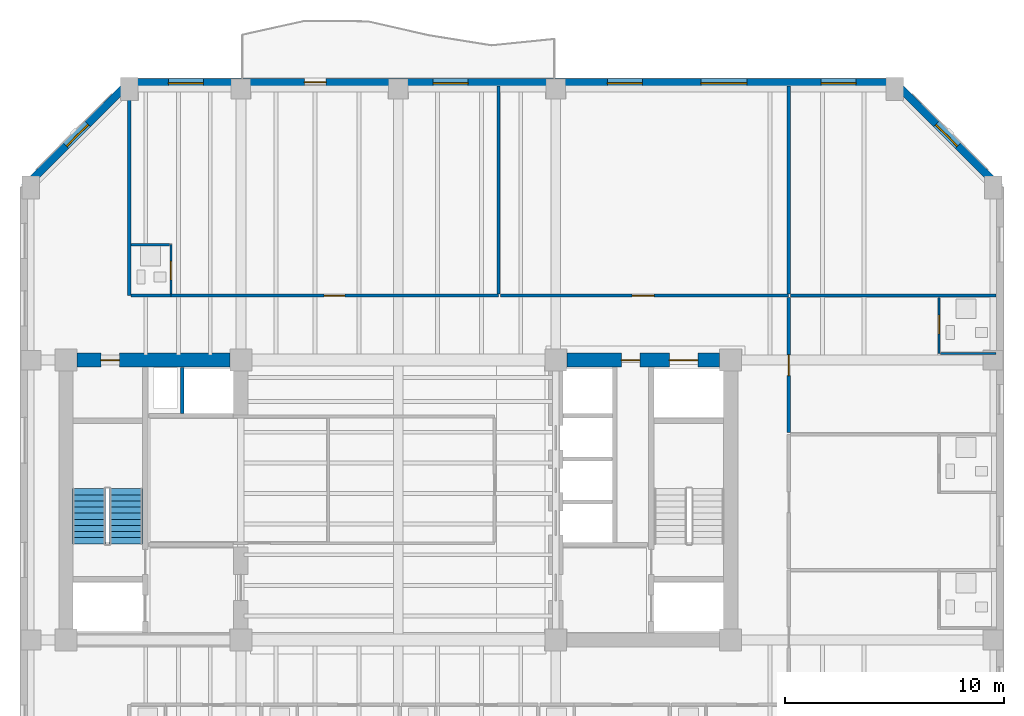
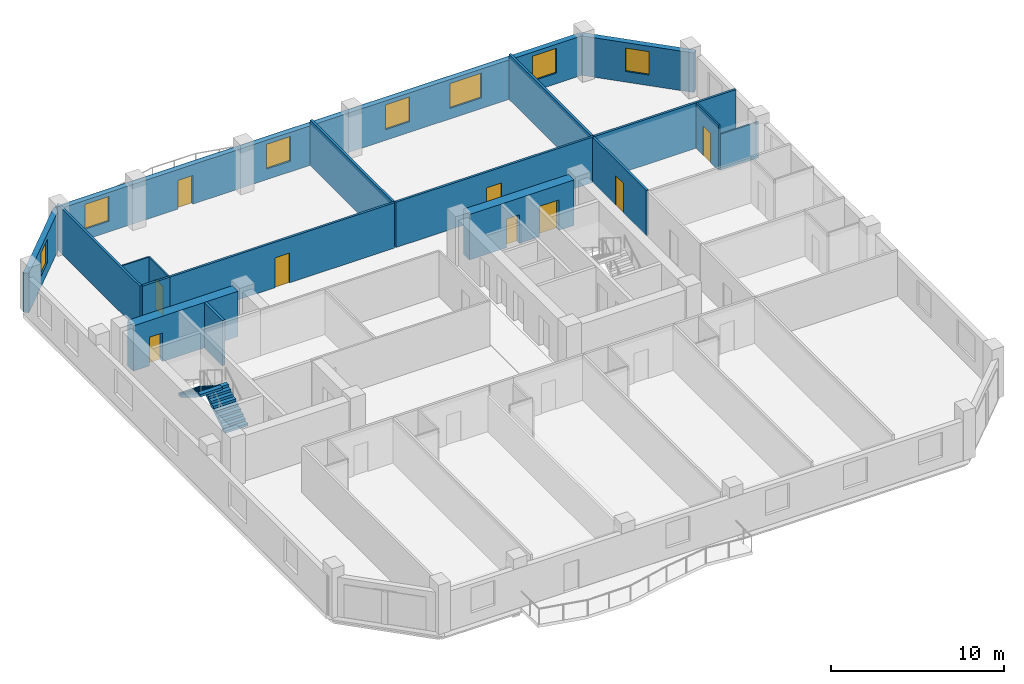
# One storey, part 5 of 10: 18 walls, 9 doors, 7 windows, 2 stair flights, 16 openings, 1 element without a shape of its own.
"""IFC4 building model written with IfcOpenShell, lengths in metres."""

from ifc_helpers import new_model, si_unit, direction, frame, frame_2d, origin, place, context, subcontext, project, spatial, polyline, rectangle, outline, extrude, material, layer, layer_set, type_object, element, fill, aggregate, save


model = new_model("IFC4")

# Units and contexts
model_context = context("Model", 3, precision=1e-05, world=origin(), true_north=direction((0.0, 1.0)))
body_context = subcontext(model_context, "Body", "Model", "MODEL_VIEW")
ifc_project = project(units=[si_unit("LENGTHUNIT", "METRE"), si_unit("AREAUNIT", "SQUARE_METRE"), si_unit("VOLUMEUNIT", "CUBIC_METRE"), si_unit("PLANEANGLEUNIT", "RADIAN"), si_unit("MASSUNIT", "GRAM", prefix="KILO")], contexts=[model_context])

# Site, building, storey
site_placement = place(None, origin())
site = spatial("IfcSite", under=ifc_project, at=site_placement, CompositionType="ELEMENT")
building_placement = place(site_placement, origin())
building = spatial("IfcBuilding", under=site, at=building_placement, Name="Kranthara Brick Stack", CompositionType="ELEMENT")
storey_placement = place(building_placement, frame((0.0, 0.0, 155.300048828125)))
storey = spatial("IfcBuildingStorey", under=building, at=storey_placement, Name="L39", CompositionType="ELEMENT", Elevation=155.300048828125)

# Wall, opening, window
ifc_material_1 = material(Name="Kiln-fired clay brick masonry M15", Category="masonry")
ifc_layer_1 = layer(ifc_material_1, 0.35009765625)
ifc_layer_set_1 = layer_set([ifc_layer_1], Name="Kiln-fired clay brick masonry M15")
wall_type_1 = type_object("IfcWallType", Name="WL-BRK-SPND-350", PredefinedType="STANDARD", material=ifc_layer_set_1)
wall_1_placement = place(storey_placement, frame((10.89501953125, 41.5, 0.0), z_axis=(0.0, 0.0, 1.0), x_axis=(0.707106781187, 0.707106781187, 0.0)))
wall_1 = element("IfcWall", 1, at=wall_1_placement, inside=storey, type_object=wall_type_1, Name="L39 Exterior Brick Facade Wall NW 1", PredefinedType="STANDARD", context=body_context, shape_type="SweptSolid", body=[
    extrude(rectangle(XDim=6.795166015625, YDim=0.35009765625, at=frame_2d((3.3974609375, 0.0))), origin(), (0.0, 0.0, 1.0), 2.784912109375),
])
opening_1_placement = place(wall_1_placement, frame((2.697998046875, 0.0, 0.75)))
opening_1 = element("IfcOpeningElement", 2, at=opening_1_placement, cuts=wall_1, Name="Opening WN10", PredefinedType="OPENING", context=body_context, shape_type="SweptSolid", body=[
    extrude(rectangle(XDim=1.39990234375, YDim=1.64990234375, at=frame_2d((0.699951171875, 0.824951171875))), frame((0.0, 0.18505859375, 0.0), z_axis=(0.0, -1.0, 0.0), x_axis=(1.0, 0.0, 0.0)), (0.0, 0.0, 1.0), 0.3701171875),
])
ifc_material_2 = material(Name="Double-glazed low-E solar control glass", Category="glass")
window_type_1 = type_object("IfcWindowType", Name="WN-CHM-1400x1750", PartitioningType="SINGLE_PANEL", PredefinedType="WINDOW", material=ifc_material_2)
window_1_placement = place(opening_1_placement, origin())
window_1 = element("IfcWindow", 3, at=window_1_placement, inside=storey, type_object=window_type_1, Name="L39 NW Chamfer Corner Window", OverallHeight=1.64990234375, OverallWidth=1.39990234375, PartitioningType="SINGLE_PANEL", PredefinedType="WINDOW", context=body_context, shape_type="SweptSolid", body=[
    extrude(rectangle(XDim=1.39990234375, YDim=1.64990234375, at=frame_2d((0.699951171875, 0.824951171875))), frame((0.0, -0.010009765625, 0.0), z_axis=(0.0, -1.0, 0.0), x_axis=(1.0, 0.0, 0.0)), (0.0, 0.0, 1.0), 0.06005859375),
])
fill(opening_1, window_1)

# Wall, openings, door, windows
wall_2_placement = place(storey_placement, frame((15.699951171875, 46.304931640625, 0.0), z_axis=(0.0, 0.0, 1.0), x_axis=(1.0, 0.0, 0.0)))
wall_2 = element("IfcWall", 4, at=wall_2_placement, inside=storey, type_object=wall_type_1, Name="L39 Exterior Brick Facade Wall NORTH 1", PredefinedType="STANDARD", context=body_context, shape_type="SweptSolid", body=[
    extrude(rectangle(XDim=35.0, YDim=0.35009765625, at=frame_2d((17.5, 0.0))), origin(), (0.0, 0.0, 1.0), 2.784912109375),
])
opening_2_placement = place(wall_2_placement, frame((8.0, 0.0, 0.0)))
opening_2 = element("IfcOpeningElement", 5, at=opening_2_placement, cuts=wall_2, Name="Opening D03", PredefinedType="OPENING", context=body_context, shape_type="SweptSolid", body=[
    extrude(rectangle(XDim=1.0, YDim=2.02001953125, at=frame_2d((0.5, 1.010009765625))), frame((0.0, 0.18505859375, 0.0), z_axis=(0.0, -1.0, 0.0), x_axis=(1.0, 0.0, 0.0)), (0.0, 0.0, 1.0), 0.3701171875),
])
opening_3_placement = place(wall_2_placement, frame((1.7880859375, 0.0, 0.75)))
opening_3 = element("IfcOpeningElement", 6, at=opening_3_placement, cuts=wall_2, Name="Opening WN04", PredefinedType="OPENING", context=body_context, shape_type="SweptSolid", body=[
    extrude(rectangle(XDim=1.60009765625, YDim=1.75, at=frame_2d((0.800048828125, 0.875))), frame((0.0, 0.18505859375, 0.0), z_axis=(0.0, -1.0, 0.0), x_axis=(1.0, 0.0, 0.0)), (0.0, 0.0, 1.0), 0.3701171875),
])
opening_4_placement = place(wall_2_placement, frame((13.89208984375, 0.0, 0.75)))
opening_4 = element("IfcOpeningElement", 7, at=opening_4_placement, cuts=wall_2, Name="Opening WN04", PredefinedType="OPENING", context=body_context, shape_type="SweptSolid", body=[
    extrude(rectangle(XDim=1.60009765625, YDim=1.75, at=frame_2d((0.800048828125, 0.875))), frame((0.0, 0.18505859375, 0.0), z_axis=(0.0, -1.0, 0.0), x_axis=(1.0, 0.0, 0.0)), (0.0, 0.0, 1.0), 0.3701171875),
])
opening_5_placement = place(wall_2_placement, frame((21.85693359375, 0.0, 0.75)))
opening_5 = element("IfcOpeningElement", 8, at=opening_5_placement, cuts=wall_2, Name="Opening WN04", PredefinedType="OPENING", context=body_context, shape_type="SweptSolid", body=[
    extrude(rectangle(XDim=1.60009765625, YDim=1.75, at=frame_2d((0.800048828125, 0.875))), frame((0.0, 0.18505859375, 0.0), z_axis=(0.0, -1.0, 0.0), x_axis=(1.0, 0.0, 0.0)), (0.0, 0.0, 1.0), 0.3701171875),
])
opening_6_placement = place(wall_2_placement, frame((26.14306640625, 0.0, 0.75)))
opening_6 = element("IfcOpeningElement", 9, at=opening_6_placement, cuts=wall_2, Name="Opening WN05", PredefinedType="OPENING", context=body_context, shape_type="SweptSolid", body=[
    extrude(rectangle(XDim=2.10009765625, YDim=1.75, at=frame_2d((1.050048828125, 0.875))), frame((0.0, 0.18505859375, 0.0), z_axis=(0.0, -1.0, 0.0), x_axis=(1.0, 0.0, 0.0)), (0.0, 0.0, 1.0), 0.3701171875),
])
opening_7_placement = place(wall_2_placement, frame((31.636962890625, 0.0, 0.75)))
opening_7 = element("IfcOpeningElement", 10, at=opening_7_placement, cuts=wall_2, Name="Opening WN04", PredefinedType="OPENING", context=body_context, shape_type="SweptSolid", body=[
    extrude(rectangle(XDim=1.60009765625, YDim=1.75, at=frame_2d((0.800048828125, 0.875))), frame((0.0, 0.18505859375, 0.0), z_axis=(0.0, -1.0, 0.0), x_axis=(1.0, 0.0, 0.0)), (0.0, 0.0, 1.0), 0.3701171875),
])
ifc_material_3 = material(Name="Bronze anodised aluminium and laminated glass", Category="aluminium")
door_type_1 = type_object("IfcDoorType", Name="DR-BALC-1000", OperationType="NOTDEFINED", PredefinedType="DOOR", material=ifc_material_3)
door_1_placement = place(opening_2_placement, origin())
door_1 = element("IfcDoor", 11, at=door_1_placement, inside=storey, type_object=door_type_1, Name="L39 North Balcony Terrace Door", OperationType="SINGLE_SWING_RIGHT", OverallHeight=2.02001953125, OverallWidth=1.0, PredefinedType="DOOR", context=body_context, shape_type="SweptSolid", body=[
    extrude(rectangle(XDim=1.0, YDim=2.02001953125, at=frame_2d((0.5, 1.010009765625))), frame((0.0, 0.02490234375, 0.0), z_axis=(0.0, -1.0, 0.0), x_axis=(1.0, 0.0, 0.0)), (0.0, 0.0, 1.0), 0.050048828125),
])
fill(opening_2, door_1)
ifc_material_4 = material(Name="Double-glazed low-E solar control glass", Category="glass")
window_type_2 = type_object("IfcWindowType", Name="WN-HTL-1600x1850", PartitioningType="DOUBLE_PANEL_VERTICAL", PredefinedType="WINDOW", material=ifc_material_4)
window_2_placement = place(opening_3_placement, origin())
window_2 = element("IfcWindow", 12, at=window_2_placement, inside=storey, type_object=window_type_2, Name="L39 North Deep-Set Brick Window 01", OverallHeight=1.75, OverallWidth=1.60009765625, PartitioningType="SINGLE_PANEL", PredefinedType="WINDOW", context=body_context, shape_type="SweptSolid", body=[
    extrude(rectangle(XDim=1.60009765625, YDim=1.75, at=frame_2d((0.800048828125, 0.875))), frame((0.0, -0.010009765625, 0.0), z_axis=(0.0, -1.0, 0.0), x_axis=(1.0, 0.0, 0.0)), (0.0, 0.0, 1.0), 0.06005859375),
])
fill(opening_3, window_2)
window_3_placement = place(opening_4_placement, origin())
window_3 = element("IfcWindow", 13, at=window_3_placement, inside=storey, type_object=window_type_2, Name="L39 North Deep-Set Brick Window 02", OverallHeight=1.75, OverallWidth=1.60009765625, PartitioningType="SINGLE_PANEL", PredefinedType="WINDOW", context=body_context, shape_type="SweptSolid", body=[
    extrude(rectangle(XDim=1.60009765625, YDim=1.75, at=frame_2d((0.800048828125, 0.875))), frame((0.0, -0.010009765625, 0.0), z_axis=(0.0, -1.0, 0.0), x_axis=(1.0, 0.0, 0.0)), (0.0, 0.0, 1.0), 0.06005859375),
])
fill(opening_4, window_3)
window_4_placement = place(opening_5_placement, origin())
window_4 = element("IfcWindow", 14, at=window_4_placement, inside=storey, type_object=window_type_2, Name="L39 North Deep-Set Brick Window 03", OverallHeight=1.75, OverallWidth=1.60009765625, PartitioningType="SINGLE_PANEL", PredefinedType="WINDOW", context=body_context, shape_type="SweptSolid", body=[
    extrude(rectangle(XDim=1.60009765625, YDim=1.75, at=frame_2d((0.800048828125, 0.875))), frame((0.0, -0.010009765625, 0.0), z_axis=(0.0, -1.0, 0.0), x_axis=(1.0, 0.0, 0.0)), (0.0, 0.0, 1.0), 0.06005859375),
])
fill(opening_5, window_4)
window_5_placement = place(opening_7_placement, origin())
window_5 = element("IfcWindow", 15, at=window_5_placement, inside=storey, type_object=window_type_2, Name="L39 North Deep-Set Brick Window 05", OverallHeight=1.75, OverallWidth=1.60009765625, PartitioningType="SINGLE_PANEL", PredefinedType="WINDOW", context=body_context, shape_type="SweptSolid", body=[
    extrude(rectangle(XDim=1.60009765625, YDim=1.75, at=frame_2d((0.800048828125, 0.875))), frame((0.0, -0.010009765625, 0.0), z_axis=(0.0, -1.0, 0.0), x_axis=(1.0, 0.0, 0.0)), (0.0, 0.0, 1.0), 0.06005859375),
])
fill(opening_7, window_5)
ifc_material_5 = material(Name="Double-glazed low-E solar control glass", Category="glass")
window_type_3 = type_object("IfcWindowType", Name="WN-HTL-2100x1850", PartitioningType="DOUBLE_PANEL_VERTICAL", PredefinedType="WINDOW", material=ifc_material_5)
window_6_placement = place(opening_6_placement, origin())
window_6 = element("IfcWindow", 16, at=window_6_placement, inside=storey, type_object=window_type_3, Name="L39 North Deep-Set Brick Window 04", OverallHeight=1.75, OverallWidth=2.10009765625, PartitioningType="SINGLE_PANEL", PredefinedType="WINDOW", context=body_context, shape_type="SweptSolid", body=[
    extrude(rectangle(XDim=2.10009765625, YDim=1.75, at=frame_2d((1.050048828125, 0.875))), frame((0.0, -0.010009765625, 0.0), z_axis=(0.0, -1.0, 0.0), x_axis=(1.0, 0.0, 0.0)), (0.0, 0.0, 1.0), 0.06005859375),
])
fill(opening_6, window_6)

# Wall, opening, window
wall_3_placement = place(storey_placement, frame((50.699951171875, 46.304931640625, 0.0), z_axis=(0.0, 0.0, 1.0), x_axis=(0.707106781187, -0.707106781187, 0.0)))
wall_3 = element("IfcWall", 17, at=wall_3_placement, inside=storey, type_object=wall_type_1, Name="L39 Exterior Brick Facade Wall NE 1", PredefinedType="STANDARD", context=body_context, shape_type="SweptSolid", body=[
    extrude(rectangle(XDim=6.795166015625, YDim=0.35009765625, at=frame_2d((3.3974609375, 0.0))), origin(), (0.0, 0.0, 1.0), 2.784912109375),
])
opening_8_placement = place(wall_3_placement, frame((2.697998046875, 0.0, 0.75)))
opening_8 = element("IfcOpeningElement", 18, at=opening_8_placement, cuts=wall_3, Name="Opening WN10", PredefinedType="OPENING", context=body_context, shape_type="SweptSolid", body=[
    extrude(rectangle(XDim=1.39990234375, YDim=1.64990234375, at=frame_2d((0.699951171875, 0.824951171875))), frame((0.0, 0.18505859375, 0.0), z_axis=(0.0, -1.0, 0.0), x_axis=(1.0, 0.0, 0.0)), (0.0, 0.0, 1.0), 0.3701171875),
])
window_7_placement = place(opening_8_placement, origin())
window_7 = element("IfcWindow", 19, at=window_7_placement, inside=storey, type_object=window_type_1, Name="L39 NE Chamfer Corner Window", OverallHeight=1.64990234375, OverallWidth=1.39990234375, PartitioningType="SINGLE_PANEL", PredefinedType="WINDOW", context=body_context, shape_type="SweptSolid", body=[
    extrude(rectangle(XDim=1.39990234375, YDim=1.64990234375, at=frame_2d((0.699951171875, 0.824951171875))), frame((0.0, -0.010009765625, 0.0), z_axis=(0.0, -1.0, 0.0), x_axis=(1.0, 0.0, 0.0)), (0.0, 0.0, 1.0), 0.06005859375),
])
fill(opening_8, window_7)

# Wall, opening, door
ifc_material_6 = material(Name="Concrete C60/75", Category="concrete")
ifc_layer_2 = layer(ifc_material_6, 0.64990234375)
ifc_layer_set_2 = layer_set([ifc_layer_2], Name="Concrete C60/75")
wall_type_2 = type_object("IfcWallType", Name="WL-CORE-650", PredefinedType="SHEAR", material=ifc_layer_set_2)
wall_4_placement = place(storey_placement, frame((13.304931640625, 33.60009765625, 0.0), z_axis=(0.0, 0.0, 1.0), x_axis=(1.0, 0.0, 0.0)))
wall_4 = element("IfcWall", 20, at=wall_4_placement, inside=storey, type_object=wall_type_2, Name="L39 West Core Shear Wall North", PredefinedType="SHEAR", context=body_context, shape_type="SweptSolid", body=[
    extrude(rectangle(XDim=6.989990234375, YDim=0.64990234375, at=frame_2d((3.4951171875, 0.0))), origin(), (0.0, 0.0, 1.0), 3.199951171875),
])
opening_9_placement = place(wall_4_placement, frame((1.094970703125, 0.0, 0.0)))
opening_9 = element("IfcOpeningElement", 21, at=opening_9_placement, cuts=wall_4, Name="Opening D10", PredefinedType="OPENING", context=body_context, shape_type="SweptSolid", body=[
    extrude(rectangle(XDim=0.85009765625, YDim=2.02001953125, at=frame_2d((0.425048828125, 1.010009765625))), frame((0.0, 0.3349609375, 0.0), z_axis=(0.0, -1.0, 0.0), x_axis=(1.0, 0.0, 0.0)), (0.0, 0.0, 1.0), 0.669921875),
])
ifc_material_7 = material(Name="Solid-core hardwood timber leaf in steel frame", Category="steel")
door_type_2 = type_object("IfcDoorType", Name="DR-RSR-850", OperationType="NOTDEFINED", PredefinedType="DOOR", material=ifc_material_7)
door_2_placement = place(opening_9_placement, origin())
door_2 = element("IfcDoor", 22, at=door_2_placement, inside=storey, type_object=door_type_2, Name="L39 West Core Service Door 1", OperationType="SINGLE_SWING_LEFT", OverallHeight=2.02001953125, OverallWidth=0.85009765625, PredefinedType="DOOR", context=body_context, shape_type="SweptSolid", body=[
    extrude(rectangle(XDim=0.85009765625, YDim=2.02001953125, at=frame_2d((0.425048828125, 1.010009765625))), frame((0.0, 0.02490234375, 0.0), z_axis=(0.0, -1.0, 0.0), x_axis=(1.0, 0.0, 0.0)), (0.0, 0.0, 1.0), 0.050048828125),
])
fill(opening_9, door_2)

# Wall, openings, doors
wall_5_placement = place(storey_placement, frame((35.705078125, 33.60009765625, 0.0), z_axis=(0.0, 0.0, 1.0), x_axis=(1.0, 0.0, 0.0)))
wall_5 = element("IfcWall", 23, at=wall_5_placement, inside=storey, type_object=wall_type_2, Name="L39 East Core Shear Wall North", PredefinedType="SHEAR", context=body_context, shape_type="SweptSolid", body=[
    extrude(rectangle(XDim=6.989990234375, YDim=0.64990234375, at=frame_2d((3.4951171875, 0.0))), origin(), (0.0, 0.0, 1.0), 3.199951171875),
])
opening_10_placement = place(wall_5_placement, frame((4.695068359375, 0.0, 0.0)))
opening_10 = element("IfcOpeningElement", 24, at=opening_10_placement, cuts=wall_5, Name="Opening LD03", PredefinedType="OPENING", context=body_context, shape_type="SweptSolid", body=[
    extrude(rectangle(XDim=1.300048828125, YDim=2.14990234375, at=frame_2d((0.64990234375, 1.074951171875))), frame((0.0, 0.3349609375, 0.0), z_axis=(0.0, -1.0, 0.0), x_axis=(1.0, 0.0, 0.0)), (0.0, 0.0, 1.0), 0.669921875),
])
opening_11_placement = place(wall_5_placement, frame((2.4951171875, 0.0, 0.0)))
opening_11 = element("IfcOpeningElement", 25, at=opening_11_placement, cuts=wall_5, Name="Opening D10", PredefinedType="OPENING", context=body_context, shape_type="SweptSolid", body=[
    extrude(rectangle(XDim=0.85009765625, YDim=2.02001953125, at=frame_2d((0.425048828125, 1.010009765625))), frame((0.0, 0.3349609375, 0.0), z_axis=(0.0, -1.0, 0.0), x_axis=(1.0, 0.0, 0.0)), (0.0, 0.0, 1.0), 0.669921875),
])
ifc_material_8 = material(Name="Stainless steel sliding landing door", Category="steel")
door_type_3 = type_object("IfcDoorType", Name="DR-LD-SV1300", OperationType="DOUBLE_DOOR_SLIDING", PredefinedType="DOOR", material=ifc_material_8)
door_3_placement = place(opening_10_placement, origin())
door_3 = element("IfcDoor", 26, at=door_3_placement, inside=storey, type_object=door_type_3, Name="L39 Stretcher Service Lift SV-01 Landing Door", OperationType="DOUBLE_DOOR_SLIDING", OverallHeight=2.14990234375, OverallWidth=1.300048828125, PredefinedType="DOOR", context=body_context, shape_type="SweptSolid", body=[
    extrude(rectangle(XDim=1.300048828125, YDim=2.14990234375, at=frame_2d((0.64990234375, 1.074951171875))), frame((0.0, 0.02490234375, 0.0), z_axis=(0.0, -1.0, 0.0), x_axis=(1.0, 0.0, 0.0)), (0.0, 0.0, 1.0), 0.050048828125),
])
fill(opening_10, door_3)
door_4_placement = place(opening_11_placement, origin())
door_4 = element("IfcDoor", 27, at=door_4_placement, inside=storey, type_object=door_type_2, Name="L39 East Core Service Room Door", OperationType="SINGLE_SWING_LEFT", OverallHeight=2.02001953125, OverallWidth=0.85009765625, PredefinedType="DOOR", context=body_context, shape_type="SweptSolid", body=[
    extrude(rectangle(XDim=0.85009765625, YDim=2.02001953125, at=frame_2d((0.425048828125, 1.010009765625))), frame((0.0, 0.02490234375, 0.0), z_axis=(0.0, -1.0, 0.0), x_axis=(1.0, 0.0, 0.0)), (0.0, 0.0, 1.0), 0.050048828125),
])
fill(opening_11, door_4)

# Wall, opening, door
ifc_material_9 = material(Name="Moisture-resistant wet-room partition", Category="other")
ifc_layer_3 = layer(ifc_material_9, 0.10009765625)
ifc_layer_set_3 = layer_set([ifc_layer_3], Name="Moisture-resistant wet-room partition")
wall_type_3 = type_object("IfcWallType", Name="WL-PART-100", PredefinedType="PARTITIONING", material=ifc_layer_set_3)
wall_6_placement = place(storey_placement, frame((17.60009765625, 36.6298828125, 0.0), z_axis=(0.0, 0.0, 1.0), x_axis=(0.0, 1.0, 0.0)))
wall_6 = element("IfcWall", 28, at=wall_6_placement, inside=storey, type_object=wall_type_3, Name="L39 Interior Partition 034", PredefinedType="PARTITIONING", context=body_context, shape_type="SweptSolid", body=[
    extrude(rectangle(XDim=2.25, YDim=0.10009765625, at=frame_2d((1.125, 0.0))), origin(), (0.0, 0.0, 1.0), 3.199951171875),
])
opening_12_placement = place(wall_6_placement, frame((0.639892578125, 0.0, 0.0)))
opening_12 = element("IfcOpeningElement", 29, at=opening_12_placement, cuts=wall_6, Name="Opening D17", PredefinedType="OPENING", context=body_context, shape_type="SweptSolid", body=[
    extrude(rectangle(XDim=0.85009765625, YDim=2.050048828125, at=frame_2d((0.425048828125, 1.02490234375))), frame((0.0, 0.06005859375, 0.0), z_axis=(0.0, -1.0, 0.0), x_axis=(1.0, 0.0, 0.0)), (0.0, 0.0, 1.0), 0.1201171875),
])
ifc_material_10 = material(Name="Solid-core hardwood timber leaf in steel frame", Category="steel")
door_type_4 = type_object("IfcDoorType", Name="DR-WET-850", OperationType="NOTDEFINED", PredefinedType="DOOR", material=ifc_material_10)
door_5_placement = place(opening_12_placement, origin())
door_5 = element("IfcDoor", 30, at=door_5_placement, inside=storey, type_object=door_type_4, Name="L39 Key 06 En-Suite Door 13", OperationType="SINGLE_SWING_LEFT", OverallHeight=2.050048828125, OverallWidth=0.85009765625, PredefinedType="DOOR", context=body_context, shape_type="SweptSolid", body=[
    extrude(rectangle(XDim=0.85009765625, YDim=2.050048828125, at=frame_2d((0.425048828125, 1.02490234375))), frame((0.0, 0.02490234375, 0.0), z_axis=(0.0, -1.0, 0.0), x_axis=(1.0, 0.0, 0.0)), (0.0, 0.0, 1.0), 0.050048828125),
])
fill(opening_12, door_5)

# Wall
wall_7_placement = place(storey_placement, frame((15.780029296875, 38.8798828125, 0.0), z_axis=(0.0, 0.0, 1.0), x_axis=(1.0, 0.0, 0.0)))
element("IfcWall", 31, at=wall_7_placement, inside=storey, type_object=wall_type_3, Name="L39 Interior Partition 035", PredefinedType="PARTITIONING", context=body_context, shape_type="SweptSolid", body=[
    extrude(rectangle(XDim=1.764892578125, YDim=0.10009765625, at=frame_2d((0.88232421875, 0.0))), origin(), (0.0, 0.0, 1.0), 3.199951171875),
])

# Wall, opening, door
wall_8_placement = place(storey_placement, frame((52.72998046875, 33.89990234375, 0.0), z_axis=(0.0, 0.0, 1.0), x_axis=(0.0, 1.0, 0.0)))
wall_8 = element("IfcWall", 32, at=wall_8_placement, inside=storey, type_object=wall_type_3, Name="L39 Interior Partition 050", PredefinedType="PARTITIONING", context=body_context, shape_type="SweptSolid", body=[
    extrude(rectangle(XDim=2.570068359375, YDim=0.10009765625, at=frame_2d((1.28515625, 0.0))), origin(), (0.0, 0.0, 1.0), 3.199951171875),
])
opening_13_placement = place(wall_8_placement, frame((0.905029296875, 0.0, 0.0)))
opening_13 = element("IfcOpeningElement", 33, at=opening_13_placement, cuts=wall_8, Name="Opening D17", PredefinedType="OPENING", context=body_context, shape_type="SweptSolid", body=[
    extrude(rectangle(XDim=0.85009765625, YDim=2.050048828125, at=frame_2d((0.425048828125, 1.02490234375))), frame((0.0, 0.06005859375, 0.0), z_axis=(0.0, -1.0, 0.0), x_axis=(1.0, 0.0, 0.0)), (0.0, 0.0, 1.0), 0.1201171875),
])
door_6_placement = place(opening_13_placement, origin())
door_6 = element("IfcDoor", 34, at=door_6_placement, inside=storey, type_object=door_type_4, Name="L39 East Key 10 Bath 20", OperationType="SINGLE_SWING_RIGHT", OverallHeight=2.050048828125, OverallWidth=0.85009765625, PredefinedType="DOOR", context=body_context, shape_type="SweptSolid", body=[
    extrude(rectangle(XDim=0.85009765625, YDim=2.050048828125, at=frame_2d((0.425048828125, 1.02490234375))), frame((0.0, 0.02490234375, 0.0), z_axis=(0.0, -1.0, 0.0), x_axis=(1.0, 0.0, 0.0)), (0.0, 0.0, 1.0), 0.050048828125),
])
fill(opening_13, door_6)

# Walls
wall_9_placement = place(storey_placement, frame((52.784912109375, 33.89990234375, 0.0), z_axis=(0.0, 0.0, 1.0), x_axis=(1.0, 0.0, 0.0)))
element("IfcWall", 35, at=wall_9_placement, inside=storey, type_object=wall_type_3, Name="L39 Interior Partition 051", PredefinedType="PARTITIONING", context=body_context, shape_type="SweptSolid", body=[
    extrude(rectangle(XDim=2.5400390625, YDim=0.10009765625, at=frame_2d((1.27001953125, 0.0))), origin(), (0.0, 0.0, 1.0), 2.534912109375),
])
ifc_material_11 = material(Name="Fire-rated gypsum board partition", Category="other")
ifc_layer_4 = layer(ifc_material_11, 0.14990234375)
ifc_layer_set_4 = layer_set([ifc_layer_4], Name="Fire-rated gypsum board partition")
wall_type_4 = type_object("IfcWallType", Name="WL-PART-150", PredefinedType="PARTITIONING", material=ifc_layer_set_4)
wall_10_placement = place(storey_placement, frame((15.699951171875, 36.550048828125, 0.0), z_axis=(0.0, 0.0, 1.0), x_axis=(0.0, 1.0, 0.0)))
element("IfcWall", 36, at=wall_10_placement, inside=storey, type_object=wall_type_4, Name="L39 Interior Partition 031", PredefinedType="PARTITIONING", context=body_context, shape_type="SweptSolid", body=[
    extrude(rectangle(XDim=9.574951171875, YDim=0.14990234375, at=frame_2d((4.78759765625, 0.0))), origin(), (0.0, 0.0, 1.0), 3.199951171875),
])
wall_11_placement = place(storey_placement, frame((15.780029296875, 36.550048828125, 0.0), z_axis=(0.0, 0.0, 1.0), x_axis=(1.0, 0.0, 0.0)))
element("IfcWall", 37, at=wall_11_placement, inside=storey, type_object=wall_type_4, Name="L39 Interior Partition 032", PredefinedType="PARTITIONING", context=body_context, shape_type="SweptSolid", body=[
    extrude(rectangle(XDim=1.820068359375, YDim=0.14990234375, at=frame_2d((0.91015625, 0.0))), origin(), (0.0, 0.0, 1.0), 3.199951171875),
])

# Wall, opening, door
wall_12_placement = place(storey_placement, frame((17.60009765625, 36.550048828125, 0.0), z_axis=(0.0, 0.0, 1.0), x_axis=(1.0, 0.0, 0.0)))
wall_12 = element("IfcWall", 38, at=wall_12_placement, inside=storey, type_object=wall_type_4, Name="L39 Interior Partition 033", PredefinedType="PARTITIONING", context=body_context, shape_type="SweptSolid", body=[
    extrude(rectangle(XDim=14.98388671875, YDim=0.14990234375, at=frame_2d((7.491943359375, 0.0))), origin(), (0.0, 0.0, 1.0), 3.199951171875),
])
opening_14_placement = place(wall_12_placement, frame((7.011962890625, 0.0, 0.0)))
opening_14 = element("IfcOpeningElement", 39, at=opening_14_placement, cuts=wall_12, Name="Opening D09", PredefinedType="OPENING", context=body_context, shape_type="SweptSolid", body=[
    extrude(rectangle(XDim=0.949951171875, YDim=2.10009765625, at=frame_2d((0.47509765625, 1.050048828125))), frame((0.0, 0.0849609375, 0.0), z_axis=(0.0, -1.0, 0.0), x_axis=(1.0, 0.0, 0.0)), (0.0, 0.0, 1.0), 0.169921875),
])
ifc_material_12 = material(Name="Solid-core hardwood timber leaf in steel frame", Category="steel")
door_type_5 = type_object("IfcDoorType", Name="DR-FD-950", OperationType="NOTDEFINED", PredefinedType="DOOR", material=ifc_material_12)
door_7_placement = place(opening_14_placement, origin())
door_7 = element("IfcDoor", 40, at=door_7_placement, inside=storey, type_object=door_type_5, Name="L39 Key 06 Entry 14", OperationType="SINGLE_SWING_RIGHT", OverallHeight=2.10009765625, OverallWidth=0.949951171875, PredefinedType="DOOR", context=body_context, shape_type="SweptSolid", body=[
    extrude(rectangle(XDim=0.949951171875, YDim=2.10009765625, at=frame_2d((0.47509765625, 1.050048828125))), frame((0.0, 0.02490234375, 0.0), z_axis=(0.0, -1.0, 0.0), x_axis=(1.0, 0.0, 0.0)), (0.0, 0.0, 1.0), 0.050048828125),
])
fill(opening_14, door_7)

# Wall
wall_13_placement = place(storey_placement, frame((32.583984375, 36.6298828125, 0.0), z_axis=(0.0, 0.0, 1.0), x_axis=(0.0, 1.0, 0.0)))
element("IfcWall", 41, at=wall_13_placement, inside=storey, type_object=wall_type_4, Name="L39 Interior Partition 036", PredefinedType="PARTITIONING", context=body_context, shape_type="SweptSolid", body=[
    extrude(rectangle(XDim=9.4951171875, YDim=0.14990234375, at=frame_2d((4.74755859375, 0.0))), origin(), (0.0, 0.0, 1.0), 3.199951171875),
])

# Wall, opening, door
wall_14_placement = place(storey_placement, frame((32.6640625, 36.550048828125, 0.0), z_axis=(0.0, 0.0, 1.0), x_axis=(1.0, 0.0, 0.0)))
wall_14 = element("IfcWall", 42, at=wall_14_placement, inside=storey, type_object=wall_type_4, Name="L39 Interior Partition 037", PredefinedType="PARTITIONING", context=body_context, shape_type="SweptSolid", body=[
    extrude(rectangle(XDim=13.18603515625, YDim=0.14990234375, at=frame_2d((6.593017578125, 0.0))), origin(), (0.0, 0.0, 1.0), 3.199951171875),
])
opening_15_placement = place(wall_14_placement, frame((6.032958984375, 0.0, 0.0)))
opening_15 = element("IfcOpeningElement", 43, at=opening_15_placement, cuts=wall_14, Name="Opening D08", PredefinedType="OPENING", context=body_context, shape_type="SweptSolid", body=[
    extrude(rectangle(XDim=1.0, YDim=2.10009765625, at=frame_2d((0.5, 1.050048828125))), frame((0.0, 0.0849609375, 0.0), z_axis=(0.0, -1.0, 0.0), x_axis=(1.0, 0.0, 0.0)), (0.0, 0.0, 1.0), 0.169921875),
])
ifc_material_13 = material(Name="Solid-core hardwood timber leaf in steel frame", Category="steel")
door_type_6 = type_object("IfcDoorType", Name="DR-FD-1000", OperationType="NOTDEFINED", PredefinedType="DOOR", material=ifc_material_13)
door_8_placement = place(opening_15_placement, origin())
door_8 = element("IfcDoor", 44, at=door_8_placement, inside=storey, type_object=door_type_6, Name="L39 Guest Lounge 15", OperationType="SINGLE_SWING_LEFT", OverallHeight=2.10009765625, OverallWidth=1.0, PredefinedType="DOOR", context=body_context, shape_type="SweptSolid", body=[
    extrude(rectangle(XDim=1.0, YDim=2.10009765625, at=frame_2d((0.5, 1.050048828125))), frame((0.0, 0.02490234375, 0.0), z_axis=(0.0, -1.0, 0.0), x_axis=(1.0, 0.0, 0.0)), (0.0, 0.0, 1.0), 0.050048828125),
])
fill(opening_15, door_8)

# Walls
wall_15_placement = place(storey_placement, frame((45.85009765625, 36.6298828125, 0.0), z_axis=(0.0, 0.0, 1.0), x_axis=(0.0, 1.0, 0.0)))
element("IfcWall", 45, at=wall_15_placement, inside=storey, type_object=wall_type_4, Name="L39 Interior Partition 038", PredefinedType="PARTITIONING", context=body_context, shape_type="SweptSolid", body=[
    extrude(rectangle(XDim=9.4951171875, YDim=0.14990234375, at=frame_2d((4.74755859375, 0.0))), origin(), (0.0, 0.0, 1.0), 3.199951171875),
])
wall_16_placement = place(storey_placement, frame((45.929931640625, 36.550048828125, 0.0), z_axis=(0.0, 0.0, 1.0), x_axis=(1.0, 0.0, 0.0)))
element("IfcWall", 46, at=wall_16_placement, inside=storey, type_object=wall_type_4, Name="L39 Interior Partition 040", PredefinedType="PARTITIONING", context=body_context, shape_type="SweptSolid", body=[
    extrude(rectangle(XDim=9.39501953125, YDim=0.14990234375, at=frame_2d((4.697509765625, 0.0))), origin(), (0.0, 0.0, 1.0), 3.199951171875),
])

# Wall, opening, door
wall_17_placement = place(storey_placement, frame((45.85009765625, 30.280029296875, 0.0), z_axis=(0.0, 0.0, 1.0), x_axis=(0.0, 1.0, 0.0)))
wall_17 = element("IfcWall", 47, at=wall_17_placement, inside=storey, type_object=wall_type_4, Name="L39 Interior Partition 049", PredefinedType="PARTITIONING", context=body_context, shape_type="SweptSolid", body=[
    extrude(rectangle(XDim=6.18994140625, YDim=0.14990234375, at=frame_2d((3.094970703125, 0.0))), origin(), (0.0, 0.0, 1.0), 3.199951171875),
])
opening_16_placement = place(wall_17_placement, frame((2.614990234375, 0.0, 0.0)))
opening_16 = element("IfcOpeningElement", 48, at=opening_16_placement, cuts=wall_17, Name="Opening D09", PredefinedType="OPENING", context=body_context, shape_type="SweptSolid", body=[
    extrude(rectangle(XDim=0.949951171875, YDim=2.10009765625, at=frame_2d((0.47509765625, 1.050048828125))), frame((0.0, 0.0849609375, 0.0), z_axis=(0.0, -1.0, 0.0), x_axis=(1.0, 0.0, 0.0)), (0.0, 0.0, 1.0), 0.169921875),
])
door_9_placement = place(opening_16_placement, origin())
door_9 = element("IfcDoor", 49, at=door_9_placement, inside=storey, type_object=door_type_5, Name="L39 East Key 10 21", OperationType="SINGLE_SWING_LEFT", OverallHeight=2.10009765625, OverallWidth=0.949951171875, PredefinedType="DOOR", context=body_context, shape_type="SweptSolid", body=[
    extrude(rectangle(XDim=0.949951171875, YDim=2.10009765625, at=frame_2d((0.47509765625, 1.050048828125))), frame((0.0, 0.02490234375, 0.0), z_axis=(0.0, -1.0, 0.0), x_axis=(1.0, 0.0, 0.0)), (0.0, 0.0, 1.0), 0.050048828125),
])
fill(opening_16, door_9)

# Wall
ifc_material_14 = material(Name="Gypsum plasterboard on acoustic twin stud", Category="other")
ifc_layer_5 = layer(ifc_material_14, 0.179931640625)
ifc_layer_set_5 = layer_set([ifc_layer_5], Name="Gypsum plasterboard on acoustic twin stud")
wall_type_5 = type_object("IfcWallType", Name="WL-PART-180", PredefinedType="PARTITIONING", material=ifc_layer_set_5)
wall_18_placement = place(storey_placement, frame((18.1201171875, 31.169921875, 0.0), z_axis=(0.0, 0.0, 1.0), x_axis=(0.0, 1.0, 0.0)))
element("IfcWall", 50, at=wall_18_placement, inside=storey, type_object=wall_type_5, Name="L39 PL-07 Shaft Back Wall", PredefinedType="PARTITIONING", context=body_context, shape_type="SweptSolid", body=[
    extrude(rectangle(XDim=2.094970703125, YDim=0.179931640625, at=frame_2d((1.04736328125, 0.0))), origin(), (0.0, 0.0, 1.0), 3.199951171875),
])

# Stair, stair flights
ifc_material_15 = material(Name="Concrete C45/55", Category="concrete")
stair_type = type_object("IfcStairType", Name="ST-CORE-20R", PredefinedType="HALF_TURN_STAIR", material=ifc_material_15)
stair_placement = place(storey_placement, origin())
stair = element("IfcStair", 51, at=stair_placement, inside=storey, type_object=stair_type, Name="L39 West Core Protected Exit Stair ST01", PredefinedType="HALF_TURN_STAIR")
ifc_material_16 = material(Name="Concrete C45/55", Category="concrete")
stair_flight_type = type_object("IfcStairFlightType", Name="SFL-RC-20R", PredefinedType="STRAIGHT", material=ifc_material_16)
stair_flight_1_placement = place(storey_placement, frame((15.550048828125, 25.199951171875, 0.0), z_axis=(0.0, 0.0, 1.0), x_axis=(0.0, 1.0, 0.0)))
stair_flight_1 = element("IfcStairFlight", 52, at=stair_flight_1_placement, type_object=stair_flight_type, Name="ST01 flight 1", NumberOfRisers=10, NumberOfTreads=9, PredefinedType="STRAIGHT", RiserHeight=0.175, TreadLength=0.28, context=body_context, shape_type="SweptSolid", body=[
    extrude(outline(polyline([(0.0, 0.0), (0.0, 0.175048828125), (0.280029296875, 0.175048828125), (0.280029296875, 0.35009765625), (0.56005859375, 0.35009765625), (0.56005859375, 0.52490234375), (0.840087890625, 0.52490234375), (0.840087890625, 0.699951171875), (1.1201171875, 0.699951171875), (1.1201171875, 0.875), (1.39990234375, 0.875), (1.39990234375, 1.050048828125), (1.679931640625, 1.050048828125), (1.679931640625, 1.22509765625), (1.9599609375, 1.22509765625), (1.9599609375, 1.39990234375), (2.239990234375, 1.39990234375), (2.239990234375, 1.574951171875), (2.52001953125, 1.574951171875), (2.52001953125, 1.75), (2.52001953125, 1.398193359375), (0.28271484375, 0.0), (0.0, 0.0)])), frame((0.0, 0.75, 0.0), z_axis=(0.0, -1.0, 0.0), x_axis=(1.0, 0.0, 0.0)), (0.0, 0.0, 1.0), 1.5),
])
stair_flight_2_placement = place(storey_placement, frame((13.85009765625, 27.719970703125, 1.75), z_axis=(0.0, 0.0, 1.0), x_axis=(0.0, -1.0, 0.0)))
stair_flight_2 = element("IfcStairFlight", 53, at=stair_flight_2_placement, type_object=stair_flight_type, Name="ST01 flight 2", NumberOfRisers=10, NumberOfTreads=9, PredefinedType="STRAIGHT", RiserHeight=0.175, TreadLength=0.28, context=body_context, shape_type="SweptSolid", body=[
    extrude(outline(polyline([(0.0, 0.0), (0.0, 0.175048828125), (0.280029296875, 0.175048828125), (0.280029296875, 0.35009765625), (0.56005859375, 0.35009765625), (0.56005859375, 0.52490234375), (0.840087890625, 0.52490234375), (0.840087890625, 0.699951171875), (1.1201171875, 0.699951171875), (1.1201171875, 0.875), (1.39990234375, 0.875), (1.39990234375, 1.050048828125), (1.679931640625, 1.050048828125), (1.679931640625, 1.22509765625), (1.9599609375, 1.22509765625), (1.9599609375, 1.39990234375), (2.239990234375, 1.39990234375), (2.239990234375, 1.574951171875), (2.52001953125, 1.574951171875), (2.52001953125, 1.75), (2.52001953125, 1.398193359375), (0.28271484375, 0.0), (0.0, 0.0)])), frame((0.0, 0.75, 0.0), z_axis=(0.0, -1.0, 0.0), x_axis=(1.0, 0.0, 0.0)), (0.0, 0.0, 1.0), 1.5),
])
aggregate(stair, [stair_flight_1, stair_flight_2])

save(model, "model.ifc")
